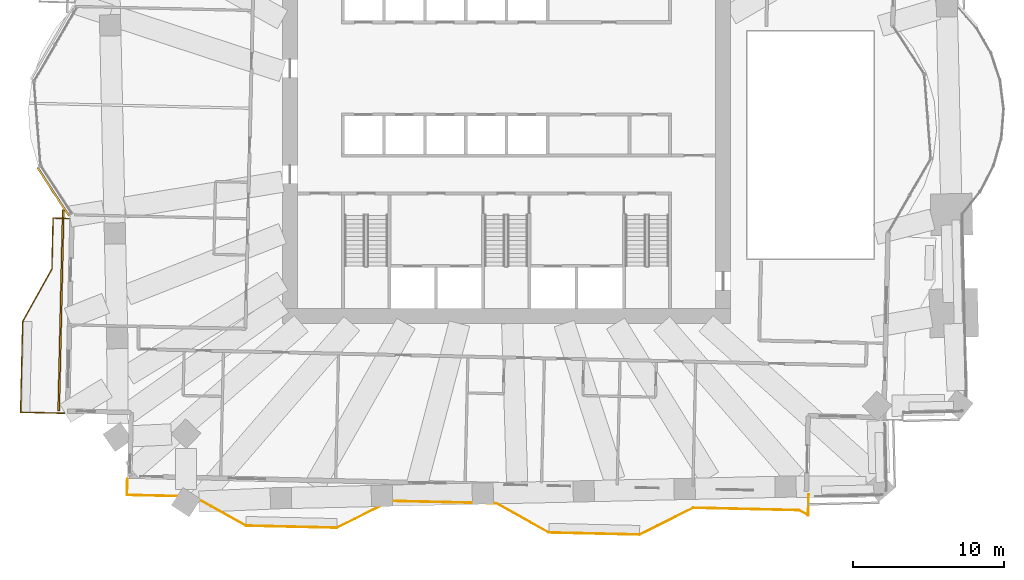
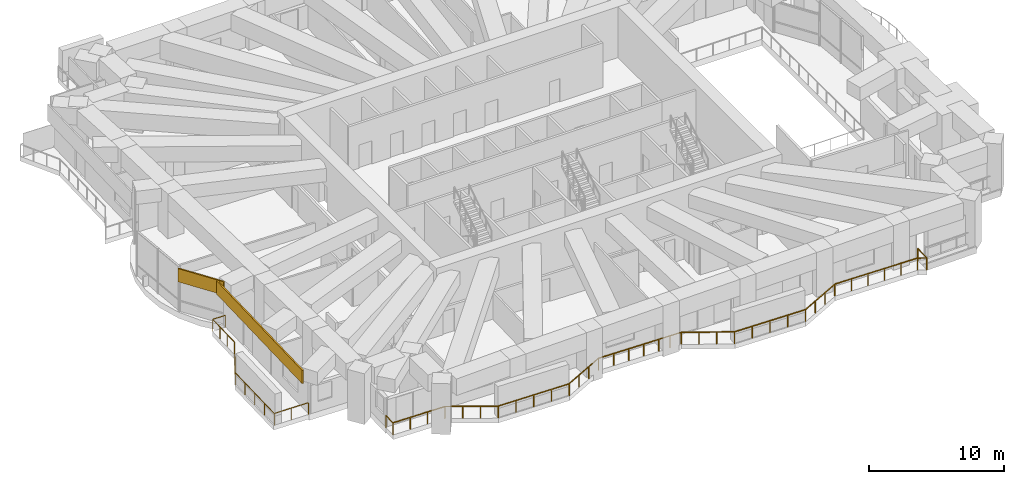
# One storey, part 16 of 20: 2 coverings, 2 railings.
"""IFC4 building model written with IfcOpenShell, lengths in metres."""

from ifc_helpers import new_model, si_unit, direction, frame, frame_2d, origin, origin_2d, place, context, subcontext, project, spatial, rectangle, extrude, material, layer, layer_set, type_object, element, save


model = new_model("IFC4")

# Units and contexts
model_context = context("Model", 3, precision=1e-05, world=origin(), true_north=direction((0.0, 1.0)))
body_context = subcontext(model_context, "Body", "Model", "MODEL_VIEW")
ifc_project = project(units=[si_unit("LENGTHUNIT", "METRE"), si_unit("AREAUNIT", "SQUARE_METRE"), si_unit("VOLUMEUNIT", "CUBIC_METRE"), si_unit("PLANEANGLEUNIT", "RADIAN"), si_unit("MASSUNIT", "GRAM", prefix="KILO")], contexts=[model_context])

# Site, building, storey
site_placement = place(None, origin())
site = spatial("IfcSite", under=ifc_project, at=site_placement, CompositionType="ELEMENT")
building_placement = place(site_placement, origin())
building = spatial("IfcBuilding", under=site, at=building_placement, Name="Mangrove Gate Tower", CompositionType="ELEMENT")
storey_placement = place(building_placement, frame((0.0, 0.0, 97.300048828125)))
storey = spatial("IfcBuildingStorey", under=building, at=storey_placement, Name="L24", CompositionType="ELEMENT", Elevation=97.300048828125)

# Railings
ifc_material_1 = material(Name="Stainless steel grade 316 with laminated glass infill", Category="steel")
railing_type = type_object("IfcRailingType", Name="Balcony guard 1100", PredefinedType="GUARDRAIL", material=ifc_material_1)
railing_1_placement = place(storey_placement, frame((-28.89892578125, -4.85791015625, 0.0)))
element("IfcRailing", 1, at=railing_1_placement, inside=storey, type_object=railing_type, Name="GUARD L24 W2", PredefinedType="GUARDRAIL", context=body_context, shape_type="SweptSolid", body=[
    extrude(rectangle(XDim=0.048095703125, YDim=0.048095703125, at=origin_2d()), frame((0.0, 0.0, 1.076171875), z_axis=(-0.999744919731, 0.022585293253, 0.0), x_axis=(-0.022585293253, -0.999744919731, 0.0)), (0.0, 0.0, 1.0), 1.059326171875),
    extrude(rectangle(XDim=0.048095703125, YDim=0.048095703125, at=origin_2d()), frame((-1.05908203125, 0.02392578125, 1.076171875), z_axis=(-0.02278713509, -0.999740339525, 0.0), x_axis=(0.999740339525, -0.02278713509, 0.0)), (0.0, 0.0, 1.0), 3.375),
    extrude(rectangle(XDim=0.048095703125, YDim=0.048095703125, at=origin_2d()), frame((-1.135986328125, -3.35009765625, 1.076171875), z_axis=(-0.487307108654, -0.873230657876, 0.0), x_axis=(0.873230657876, -0.487307108654, 0.0)), (0.0, 0.0, 1.0), 3.958984375),
    extrude(rectangle(XDim=0.048095703125, YDim=0.048095703125, at=origin_2d()), frame((-3.065185546875, -6.80712890625, 1.076171875), z_axis=(-0.022665943652, -0.999743094499, 0.0), x_axis=(0.999743094499, -0.022665943652, 0.0)), (0.0, 0.0, 1.0), 5.99951171875),
    extrude(rectangle(XDim=0.048095703125, YDim=0.048095703125, at=origin_2d()), frame((-3.201171875, -12.80517578125, 1.076171875), z_axis=(0.999743392495, -0.022652795902, 0.0), x_axis=(0.022652795902, 0.999743392495, 0.0)), (0.0, 0.0, 1.0), 2.909912109375),
    extrude(rectangle(XDim=0.0419921875, YDim=0.0419921875, at=origin_2d()), origin(), (0.0, 0.0, 1.0), 1.052001953125),
    extrude(rectangle(XDim=0.0419921875, YDim=0.0419921875, at=origin_2d()), frame((-1.05908203125, 0.02392578125, 0.0)), (0.0, 0.0, 1.0), 1.052001953125),
    extrude(rectangle(XDim=0.0419921875, YDim=0.0419921875, at=origin_2d()), frame((-1.084716796875, -1.100830078125, 0.0)), (0.0, 0.0, 1.0), 1.052001953125),
    extrude(rectangle(XDim=0.0419921875, YDim=0.0419921875, at=origin_2d()), frame((-1.1103515625, -2.225341796875, 0.0)), (0.0, 0.0, 1.0), 1.052001953125),
    extrude(rectangle(XDim=0.0419921875, YDim=0.0419921875, at=origin_2d()), frame((-1.135986328125, -3.35009765625, 0.0)), (0.0, 0.0, 1.0), 1.052001953125),
    extrude(rectangle(XDim=0.0419921875, YDim=0.0419921875, at=origin_2d()), frame((-1.779052734375, -4.50244140625, 0.0)), (0.0, 0.0, 1.0), 1.052001953125),
    extrude(rectangle(XDim=0.0419921875, YDim=0.0419921875, at=origin_2d()), frame((-2.422119140625, -5.65478515625, 0.0)), (0.0, 0.0, 1.0), 1.052001953125),
    extrude(rectangle(XDim=0.0419921875, YDim=0.0419921875, at=origin_2d()), frame((-3.065185546875, -6.80712890625, 0.0)), (0.0, 0.0, 1.0), 1.052001953125),
    extrude(rectangle(XDim=0.0419921875, YDim=0.0419921875, at=origin_2d()), frame((-3.09912109375, -8.306640625, 0.0)), (0.0, 0.0, 1.0), 1.052001953125),
    extrude(rectangle(XDim=0.0419921875, YDim=0.0419921875, at=origin_2d()), frame((-3.13330078125, -9.80615234375, 0.0)), (0.0, 0.0, 1.0), 1.052001953125),
    extrude(rectangle(XDim=0.0419921875, YDim=0.0419921875, at=origin_2d()), frame((-3.167236328125, -11.3056640625, 0.0)), (0.0, 0.0, 1.0), 1.052001953125),
    extrude(rectangle(XDim=0.0419921875, YDim=0.0419921875, at=origin_2d()), frame((-3.201171875, -12.80517578125, 0.0)), (0.0, 0.0, 1.0), 1.052001953125),
    extrude(rectangle(XDim=0.0419921875, YDim=0.0419921875, at=origin_2d()), frame((-1.74658203125, -12.838134765625, 0.0)), (0.0, 0.0, 1.0), 1.052001953125),
    extrude(rectangle(XDim=0.0419921875, YDim=0.0419921875, at=origin_2d()), frame((-0.2919921875, -12.87109375, 0.0)), (0.0, 0.0, 1.0), 1.052001953125),
])
railing_2_placement = place(storey_placement, frame((-25.048095703125, -22.06396484375, 0.0)))
element("IfcRailing", 2, at=railing_2_placement, inside=storey, type_object=railing_type, Name="GUARD L24 S1", PredefinedType="GUARDRAIL", context=body_context, shape_type="SweptSolid", body=[
    extrude(rectangle(XDim=0.048095703125, YDim=0.048095703125, at=origin_2d()), frame((0.0, 0.0, 1.076171875), z_axis=(-0.022564497502, -0.999745389313, 0.0), x_axis=(0.999745389313, -0.022564497502, 0.0)), (0.0, 0.0, 1.0), 1.060302734375),
    extrude(rectangle(XDim=0.048095703125, YDim=0.048095703125, at=origin_2d()), frame((-0.02392578125, -1.06005859375, 1.076171875), z_axis=(0.999741692434, -0.022727701353, 0.0), x_axis=(0.022727701353, 0.999741692434, 0.0)), (0.0, 0.0, 1.0), 4.404296875),
    extrude(rectangle(XDim=0.048095703125, YDim=0.048095703125, at=origin_2d()), frame((4.379150390625, -1.16015625, 1.076171875), z_axis=(0.87325689943, -0.48726008209, 0.0), x_axis=(0.48726008209, 0.87325689943, 0.0)), (0.0, 0.0, 1.0), 3.958740234375),
    extrude(rectangle(XDim=0.048095703125, YDim=0.048095703125, at=origin_2d()), frame((7.836181640625, -3.089111328125, 1.076171875), z_axis=(0.999743073592, -0.022666865795, 0.0), x_axis=(0.022666865795, 0.999743073592, 0.0)), (0.0, 0.0, 1.0), 5.999267578125),
    extrude(rectangle(XDim=0.048095703125, YDim=0.048095703125, at=origin_2d()), frame((13.833984375, -3.22509765625, 1.076171875), z_axis=(0.894525821107, 0.447016280881, 0.0), x_axis=(-0.447016280881, 0.894525821107, 0.0)), (0.0, 0.0, 1.0), 3.959716796875),
    extrude(rectangle(XDim=0.048095703125, YDim=0.048095703125, at=origin_2d()), frame((17.3759765625, -1.455078125, 1.076171875), z_axis=(0.999745725993, -0.022549575565, 0.0), x_axis=(0.022549575565, 0.999745725993, 0.0)), (0.0, 0.0, 1.0), 5.099365234375),
    extrude(rectangle(XDim=0.048095703125, YDim=0.048095703125, at=origin_2d()), frame((22.47412109375, -1.570068359375, 1.076171875), z_axis=(0.999732601886, -0.023124115695, 0.0), x_axis=(0.023124115695, 0.999732601886, 0.0)), (0.0, 0.0, 1.0), 1.900390625),
    extrude(rectangle(XDim=0.048095703125, YDim=0.048095703125, at=origin_2d()), frame((24.3740234375, -1.614013671875, 1.076171875), z_axis=(0.873361856081, -0.487071933437, 0.0), x_axis=(0.487071933437, 0.873361856081, 0.0)), (0.0, 0.0, 1.0), 3.958251953125),
    extrude(rectangle(XDim=0.048095703125, YDim=0.048095703125, at=origin_2d()), frame((27.8310546875, -3.5419921875, 1.076171875), z_axis=(0.999739392852, -0.022828630714, 0.0), x_axis=(0.022828630714, 0.999739392852, 0.0)), (0.0, 0.0, 1.0), 5.99951171875),
    extrude(rectangle(XDim=0.048095703125, YDim=0.048095703125, at=origin_2d()), frame((33.8291015625, -3.678955078125, 1.076171875), z_axis=(0.894377854182, 0.447312255532, 0.0), x_axis=(-0.447312255532, 0.894377854182, 0.0)), (0.0, 0.0, 1.0), 3.959228515625),
    extrude(rectangle(XDim=0.048095703125, YDim=0.048095703125, at=origin_2d()), frame((37.3701171875, -1.907958984375, 1.076171875), z_axis=(0.999741475346, -0.022737248567, 0.0), x_axis=(0.022737248567, 0.999741475346, 0.0)), (0.0, 0.0, 1.0), 7.000732421875),
    extrude(rectangle(XDim=0.048095703125, YDim=0.048095703125, at=origin_2d()), frame((44.369140625, -2.067138671875, 1.076171875), z_axis=(0.872956919177, -0.487797311658, 0.0), x_axis=(0.487797311658, 0.872956919177, 0.0)), (0.0, 0.0, 1.0), 0.6826171875),
    extrude(rectangle(XDim=0.048095703125, YDim=0.048095703125, at=origin_2d()), frame((44.965087890625, -2.400146484375, 1.076171875), z_axis=(0.022476175804, 0.999747378852, 0.0), x_axis=(-0.999747378852, 0.022476175804, 0.0)), (0.0, 0.0, 1.0), 1.37939453125),
    extrude(rectangle(XDim=0.0419921875, YDim=0.0419921875, at=origin_2d()), origin(), (0.0, 0.0, 1.0), 1.052001953125),
    extrude(rectangle(XDim=0.0419921875, YDim=0.0419921875, at=origin_2d()), frame((-0.02392578125, -1.06005859375, 0.0)), (0.0, 0.0, 1.0), 1.052001953125),
    extrude(rectangle(XDim=0.0419921875, YDim=0.0419921875, at=origin_2d()), frame((1.44384765625, -1.093505859375, 0.0)), (0.0, 0.0, 1.0), 1.052001953125),
    extrude(rectangle(XDim=0.0419921875, YDim=0.0419921875, at=origin_2d()), frame((2.911376953125, -1.126708984375, 0.0)), (0.0, 0.0, 1.0), 1.052001953125),
    extrude(rectangle(XDim=0.0419921875, YDim=0.0419921875, at=origin_2d()), frame((4.379150390625, -1.16015625, 0.0)), (0.0, 0.0, 1.0), 1.052001953125),
    extrude(rectangle(XDim=0.0419921875, YDim=0.0419921875, at=origin_2d()), frame((5.531494140625, -1.80322265625, 0.0)), (0.0, 0.0, 1.0), 1.052001953125),
    extrude(rectangle(XDim=0.0419921875, YDim=0.0419921875, at=origin_2d()), frame((6.683837890625, -2.446044921875, 0.0)), (0.0, 0.0, 1.0), 1.052001953125),
    extrude(rectangle(XDim=0.0419921875, YDim=0.0419921875, at=origin_2d()), frame((7.836181640625, -3.089111328125, 0.0)), (0.0, 0.0, 1.0), 1.052001953125),
    extrude(rectangle(XDim=0.0419921875, YDim=0.0419921875, at=origin_2d()), frame((9.335693359375, -3.123046875, 0.0)), (0.0, 0.0, 1.0), 1.052001953125),
    extrude(rectangle(XDim=0.0419921875, YDim=0.0419921875, at=origin_2d()), frame((10.8349609375, -3.1572265625, 0.0)), (0.0, 0.0, 1.0), 1.052001953125),
    extrude(rectangle(XDim=0.0419921875, YDim=0.0419921875, at=origin_2d()), frame((12.33447265625, -3.191162109375, 0.0)), (0.0, 0.0, 1.0), 1.052001953125),
    extrude(rectangle(XDim=0.0419921875, YDim=0.0419921875, at=origin_2d()), frame((13.833984375, -3.22509765625, 0.0)), (0.0, 0.0, 1.0), 1.052001953125),
    extrude(rectangle(XDim=0.0419921875, YDim=0.0419921875, at=origin_2d()), frame((15.0146484375, -2.635009765625, 0.0)), (0.0, 0.0, 1.0), 1.052001953125),
    extrude(rectangle(XDim=0.0419921875, YDim=0.0419921875, at=origin_2d()), frame((16.1953125, -2.045166015625, 0.0)), (0.0, 0.0, 1.0), 1.052001953125),
    extrude(rectangle(XDim=0.0419921875, YDim=0.0419921875, at=origin_2d()), frame((17.3759765625, -1.455078125, 0.0)), (0.0, 0.0, 1.0), 1.052001953125),
    extrude(rectangle(XDim=0.0419921875, YDim=0.0419921875, at=origin_2d()), frame((18.650390625, -1.48388671875, 0.0)), (0.0, 0.0, 1.0), 1.052001953125),
    extrude(rectangle(XDim=0.0419921875, YDim=0.0419921875, at=origin_2d()), frame((19.925048828125, -1.5126953125, 0.0)), (0.0, 0.0, 1.0), 1.052001953125),
    extrude(rectangle(XDim=0.0419921875, YDim=0.0419921875, at=origin_2d()), frame((21.19970703125, -1.541259765625, 0.0)), (0.0, 0.0, 1.0), 1.052001953125),
    extrude(rectangle(XDim=0.0419921875, YDim=0.0419921875, at=origin_2d()), frame((22.47412109375, -1.570068359375, 0.0)), (0.0, 0.0, 1.0), 1.052001953125),
    extrude(rectangle(XDim=0.0419921875, YDim=0.0419921875, at=origin_2d()), frame((23.424072265625, -1.592041015625, 0.0)), (0.0, 0.0, 1.0), 1.052001953125),
    extrude(rectangle(XDim=0.0419921875, YDim=0.0419921875, at=origin_2d()), frame((24.3740234375, -1.614013671875, 0.0)), (0.0, 0.0, 1.0), 1.052001953125),
    extrude(rectangle(XDim=0.0419921875, YDim=0.0419921875, at=origin_2d()), frame((25.5263671875, -2.256591796875, 0.0)), (0.0, 0.0, 1.0), 1.052001953125),
    extrude(rectangle(XDim=0.0419921875, YDim=0.0419921875, at=origin_2d()), frame((26.6787109375, -2.8994140625, 0.0)), (0.0, 0.0, 1.0), 1.052001953125),
    extrude(rectangle(XDim=0.0419921875, YDim=0.0419921875, at=origin_2d()), frame((27.8310546875, -3.5419921875, 0.0)), (0.0, 0.0, 1.0), 1.052001953125),
    extrude(rectangle(XDim=0.0419921875, YDim=0.0419921875, at=origin_2d()), frame((29.33056640625, -3.576171875, 0.0)), (0.0, 0.0, 1.0), 1.052001953125),
    extrude(rectangle(XDim=0.0419921875, YDim=0.0419921875, at=origin_2d()), frame((30.830078125, -3.6103515625, 0.0)), (0.0, 0.0, 1.0), 1.052001953125),
    extrude(rectangle(XDim=0.0419921875, YDim=0.0419921875, at=origin_2d()), frame((32.32958984375, -3.644775390625, 0.0)), (0.0, 0.0, 1.0), 1.052001953125),
    extrude(rectangle(XDim=0.0419921875, YDim=0.0419921875, at=origin_2d()), frame((33.8291015625, -3.678955078125, 0.0)), (0.0, 0.0, 1.0), 1.052001953125),
    extrude(rectangle(XDim=0.0419921875, YDim=0.0419921875, at=origin_2d()), frame((35.009521484375, -3.088623046875, 0.0)), (0.0, 0.0, 1.0), 1.052001953125),
    extrude(rectangle(XDim=0.0419921875, YDim=0.0419921875, at=origin_2d()), frame((36.189697265625, -2.498291015625, 0.0)), (0.0, 0.0, 1.0), 1.052001953125),
    extrude(rectangle(XDim=0.0419921875, YDim=0.0419921875, at=origin_2d()), frame((37.3701171875, -1.907958984375, 0.0)), (0.0, 0.0, 1.0), 1.052001953125),
    extrude(rectangle(XDim=0.0419921875, YDim=0.0419921875, at=origin_2d()), frame((38.77001953125, -1.939697265625, 0.0)), (0.0, 0.0, 1.0), 1.052001953125),
    extrude(rectangle(XDim=0.0419921875, YDim=0.0419921875, at=origin_2d()), frame((40.169677734375, -1.9716796875, 0.0)), (0.0, 0.0, 1.0), 1.052001953125),
    extrude(rectangle(XDim=0.0419921875, YDim=0.0419921875, at=origin_2d()), frame((41.569580078125, -2.00341796875, 0.0)), (0.0, 0.0, 1.0), 1.052001953125),
    extrude(rectangle(XDim=0.0419921875, YDim=0.0419921875, at=origin_2d()), frame((42.96923828125, -2.035400390625, 0.0)), (0.0, 0.0, 1.0), 1.052001953125),
    extrude(rectangle(XDim=0.0419921875, YDim=0.0419921875, at=origin_2d()), frame((44.369140625, -2.067138671875, 0.0)), (0.0, 0.0, 1.0), 1.052001953125),
    extrude(rectangle(XDim=0.0419921875, YDim=0.0419921875, at=origin_2d()), frame((44.965087890625, -2.400146484375, 0.0)), (0.0, 0.0, 1.0), 1.052001953125),
    extrude(rectangle(XDim=0.0419921875, YDim=0.0419921875, at=origin_2d()), frame((44.99609375, -1.02099609375, 0.0)), (0.0, 0.0, 1.0), 1.052001953125),
])

# Coverings
ifc_material_2 = material(Name="Limestone", Category="masonry")
ifc_layer_1 = layer(ifc_material_2, 0.0400390625, Name="Limestone cladding")
ifc_material_3 = material(Name="Stainless steel anchors and cavity", Category="steel")
ifc_layer_2 = layer(ifc_material_3, 0.080078125, Name="Fixing cavity")
ifc_layer_set = layer_set([ifc_layer_1, ifc_layer_2], Name="Joint fascia cladding 120")
covering_type = type_object("IfcCoveringType", Name="Joint fascia cladding 120", PredefinedType="CLADDING", material=ifc_layer_set)
covering_1_placement = place(storey_placement, frame((-30.987060546875, -1.491943359375, 2.849853515625), z_axis=(0.0, 0.0, 1.0), x_axis=(0.546195559433, -0.837657693128, 0.0)))
element("IfcCovering", 3, at=covering_1_placement, inside=storey, type_object=covering_type, Name="STONE FASCIA L24 W9.L2", PredefinedType="CLADDING", context=body_context, shape_type="SweptSolid", body=[
    extrude(rectangle(XDim=3.8154296875, YDim=0.1201171875, at=frame_2d((1.90771484375, 0.0))), origin(), (0.0, 0.0, 1.0), 1.2001953125),
])
covering_2_placement = place(storey_placement, frame((-29.283447265625, -4.300537109375, 2.849853515625), z_axis=(0.0, 0.0, 1.0), x_axis=(-0.022642853868, -0.999743617718, 0.0)))
element("IfcCovering", 4, at=covering_2_placement, inside=storey, type_object=covering_type, Name="STONE FASCIA L24 W10.1", PredefinedType="CLADDING", context=body_context, shape_type="SweptSolid", body=[
    extrude(rectangle(XDim=13.27294921875, YDim=0.1201171875, at=frame_2d((6.636474609375, 0.0))), origin(), (0.0, 0.0, 1.0), 1.2001953125),
])

save(model, "model.ifc")
